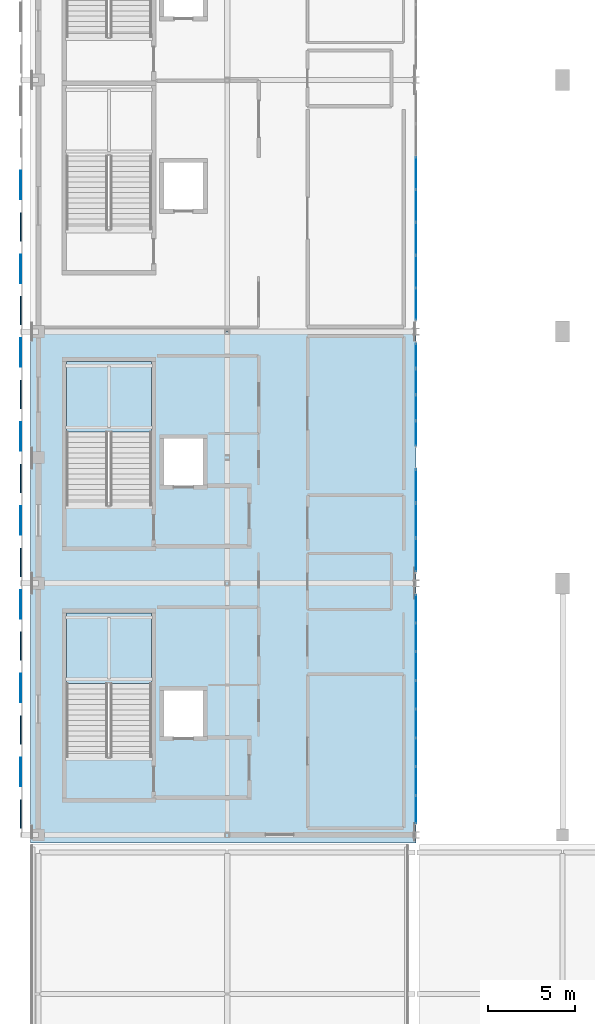
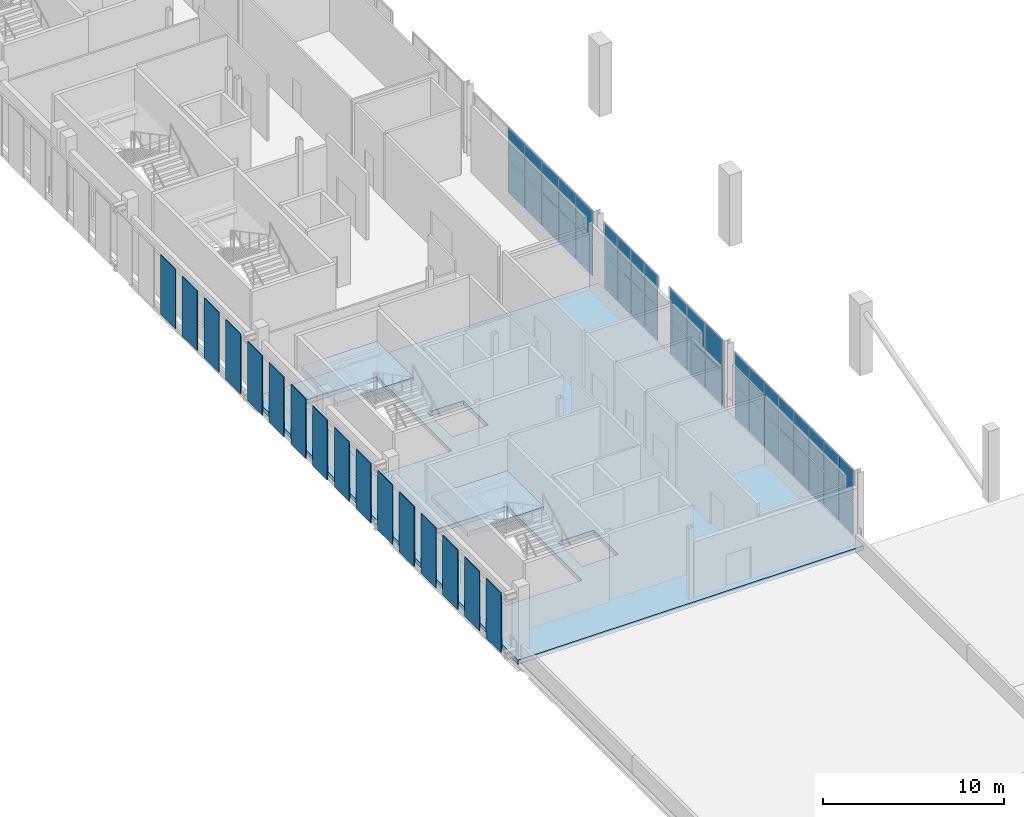
# One storey, part 24 of 51: 56 plates, 3 slabs, 6 elements without a shape of their own.
"""IFC4 building model written with IfcOpenShell, lengths in metres."""

from ifc_helpers import new_model, si_unit, direction, frame, origin, origin_2d, place, context, subcontext, project, spatial, polyline, rectangle, outline, extrude, material, layer, layer_set, type_object, element, aggregate, save


model = new_model("IFC4")

# Units and contexts
model_context = context("Model", 3, precision=1e-05, world=origin(), true_north=direction((0.0, 1.0)))
body_context = subcontext(model_context, "Body", "Model", "MODEL_VIEW")
ifc_project = project(units=[si_unit("LENGTHUNIT", "METRE"), si_unit("AREAUNIT", "SQUARE_METRE"), si_unit("VOLUMEUNIT", "CUBIC_METRE"), si_unit("PLANEANGLEUNIT", "RADIAN"), si_unit("MASSUNIT", "GRAM", prefix="KILO")], contexts=[model_context])

# Site, building, storey
site_placement = place(None, origin())
site = spatial("IfcSite", under=ifc_project, at=site_placement, CompositionType="ELEMENT")
building_placement = place(site_placement, origin())
building = spatial("IfcBuilding", under=site, at=building_placement, Name="Koshinbarg Plaza Stadium", CompositionType="ELEMENT")
storey_placement = place(building_placement, frame((0.0, 0.0, 24.60009765625)))
storey = spatial("IfcBuildingStorey", under=building, at=storey_placement, Name="L05", CompositionType="ELEMENT", Elevation=24.60009765625)

# Curtain wall, plates
ifc_material_1 = material(Name="Thermally broken anodised aluminium and low-E double glazing", Category="aluminium")
curtain_wall_type_1 = type_object("IfcCurtainWallType", Name="CW-SYS-11", PredefinedType="NOTDEFINED", material=ifc_material_1)
curtain_wall_1_placement = place(storey_placement, origin())
curtain_wall_1 = element("IfcCurtainWall", 1, at=curtain_wall_1_placement, inside=storey, type_object=curtain_wall_type_1, Name="L05 unitised curtain wall CW-L05-138", PredefinedType="NOTDEFINED")
ifc_material_2 = material(Name="Solar-control low-E double glazing unit", Category="glass")
ifc_layer_1 = layer(ifc_material_2, 0.028076171875)
ifc_layer_set_1 = layer_set([ifc_layer_1], Name="Solar-control low-E double glazing unit")
plate_type_1 = type_object("IfcPlateType", Name="CW-PNL-28", PredefinedType="CURTAIN_PANEL", material=ifc_layer_set_1)
plate_1_placement = place(storey_placement, frame((46.199951171875, 52.919921875, 0.06005859375), z_axis=(0.0, 0.0, 1.0), x_axis=(0.0, -1.0, 0.0)))
plate_1 = element("IfcPlate", 2, at=plate_1_placement, type_object=plate_type_1, Name="CW11 panel 1.1", PredefinedType="CURTAIN_PANEL", context=body_context, shape_type="SweptSolid", body=[
    extrude(rectangle(XDim=1.39990234375, YDim=0.028076171875, at=origin_2d()), origin(), (0.0, 0.0, 1.0), 2.239501953125),
])
plate_2_placement = place(storey_placement, frame((46.199951171875, 52.919921875, 2.359375), z_axis=(0.0, 0.0, 1.0), x_axis=(0.0, -1.0, 0.0)))
plate_2 = element("IfcPlate", 3, at=plate_2_placement, type_object=plate_type_1, Name="CW11 panel 1.2", PredefinedType="CURTAIN_PANEL", context=body_context, shape_type="SweptSolid", body=[
    extrude(rectangle(XDim=1.39990234375, YDim=0.028076171875, at=origin_2d()), origin(), (0.0, 0.0, 1.0), 2.060302734375),
])
plate_3_placement = place(storey_placement, frame((46.199951171875, 51.445068359375, 0.06005859375), z_axis=(0.0, 0.0, 1.0), x_axis=(0.0, -1.0, 0.0)))
plate_3 = element("IfcPlate", 4, at=plate_3_placement, type_object=plate_type_1, Name="CW11 panel 2.1", PredefinedType="CURTAIN_PANEL", context=body_context, shape_type="SweptSolid", body=[
    extrude(rectangle(XDim=1.429931640625, YDim=0.028076171875, at=origin_2d()), origin(), (0.0, 0.0, 1.0), 2.239501953125),
])
plate_4_placement = place(storey_placement, frame((46.199951171875, 51.445068359375, 2.359375), z_axis=(0.0, 0.0, 1.0), x_axis=(0.0, -1.0, 0.0)))
plate_4 = element("IfcPlate", 5, at=plate_4_placement, type_object=plate_type_1, Name="CW11 panel 2.2", PredefinedType="CURTAIN_PANEL", context=body_context, shape_type="SweptSolid", body=[
    extrude(rectangle(XDim=1.429931640625, YDim=0.028076171875, at=origin_2d()), origin(), (0.0, 0.0, 1.0), 2.060302734375),
])
plate_5_placement = place(storey_placement, frame((46.199951171875, 49.955078125, 0.06005859375), z_axis=(0.0, 0.0, 1.0), x_axis=(0.0, -1.0, 0.0)))
plate_5 = element("IfcPlate", 6, at=plate_5_placement, type_object=plate_type_1, Name="CW11 panel 3.1", PredefinedType="CURTAIN_PANEL", context=body_context, shape_type="SweptSolid", body=[
    extrude(rectangle(XDim=1.429931640625, YDim=0.028076171875, at=origin_2d()), origin(), (0.0, 0.0, 1.0), 2.239501953125),
])
plate_6_placement = place(storey_placement, frame((46.199951171875, 49.955078125, 2.359375), z_axis=(0.0, 0.0, 1.0), x_axis=(0.0, -1.0, 0.0)))
plate_6 = element("IfcPlate", 7, at=plate_6_placement, type_object=plate_type_1, Name="CW11 panel 3.2", PredefinedType="CURTAIN_PANEL", context=body_context, shape_type="SweptSolid", body=[
    extrude(rectangle(XDim=1.429931640625, YDim=0.028076171875, at=origin_2d()), origin(), (0.0, 0.0, 1.0), 2.060302734375),
])
plate_7_placement = place(storey_placement, frame((46.199951171875, 48.47998046875, 0.06005859375), z_axis=(0.0, 0.0, 1.0), x_axis=(0.0, -1.0, 0.0)))
plate_7 = element("IfcPlate", 8, at=plate_7_placement, type_object=plate_type_1, Name="CW11 panel 4.1", PredefinedType="CURTAIN_PANEL", context=body_context, shape_type="SweptSolid", body=[
    extrude(rectangle(XDim=1.39990234375, YDim=0.028076171875, at=origin_2d()), origin(), (0.0, 0.0, 1.0), 2.239501953125),
])
plate_8_placement = place(storey_placement, frame((46.199951171875, 48.47998046875, 2.359375), z_axis=(0.0, 0.0, 1.0), x_axis=(0.0, -1.0, 0.0)))
plate_8 = element("IfcPlate", 9, at=plate_8_placement, type_object=plate_type_1, Name="CW11 panel 4.2", PredefinedType="CURTAIN_PANEL", context=body_context, shape_type="SweptSolid", body=[
    extrude(rectangle(XDim=1.39990234375, YDim=0.028076171875, at=origin_2d()), origin(), (0.0, 0.0, 1.0), 2.060302734375),
])
aggregate(curtain_wall_1, [plate_1, plate_2, plate_3, plate_4, plate_5, plate_6, plate_7, plate_8])

curtain_wall_type_2 = type_object("IfcCurtainWallType", Name="CW-SYS-13", PredefinedType="NOTDEFINED", material=ifc_material_1)
curtain_wall_2_placement = place(storey_placement, origin())
curtain_wall_2 = element("IfcCurtainWall", 10, at=curtain_wall_2_placement, inside=storey, type_object=curtain_wall_type_2, Name="L05 unitised curtain wall CW-L05-140", PredefinedType="NOTDEFINED")
plate_9_placement = place(storey_placement, frame((46.199951171875, 38.4423828125, 0.06005859375), z_axis=(0.0, 0.0, 1.0), x_axis=(0.0, -1.0, 0.0)))
plate_9 = element("IfcPlate", 11, at=plate_9_placement, type_object=plate_type_1, Name="CW13 panel 1.1", PredefinedType="CURTAIN_PANEL", context=body_context, shape_type="SweptSolid", body=[
    extrude(rectangle(XDim=1.554931640625, YDim=0.028076171875, at=origin_2d()), origin(), (0.0, 0.0, 1.0), 2.239501953125),
])
plate_10_placement = place(storey_placement, frame((46.199951171875, 38.4423828125, 2.359375), z_axis=(0.0, 0.0, 1.0), x_axis=(0.0, -1.0, 0.0)))
plate_10 = element("IfcPlate", 12, at=plate_10_placement, type_object=plate_type_1, Name="CW13 panel 1.2", PredefinedType="CURTAIN_PANEL", context=body_context, shape_type="SweptSolid", body=[
    extrude(rectangle(XDim=1.554931640625, YDim=0.028076171875, at=origin_2d()), origin(), (0.0, 0.0, 1.0), 2.060302734375),
])
plate_11_placement = place(storey_placement, frame((46.199951171875, 36.8125, 0.06005859375), z_axis=(0.0, 0.0, 1.0), x_axis=(0.0, -1.0, 0.0)))
plate_11 = element("IfcPlate", 13, at=plate_11_placement, type_object=plate_type_1, Name="CW13 panel 2.1", PredefinedType="CURTAIN_PANEL", context=body_context, shape_type="SweptSolid", body=[
    extrude(rectangle(XDim=1.5849609375, YDim=0.028076171875, at=origin_2d()), origin(), (0.0, 0.0, 1.0), 2.239501953125),
])
plate_12_placement = place(storey_placement, frame((46.199951171875, 36.8125, 2.359375), z_axis=(0.0, 0.0, 1.0), x_axis=(0.0, -1.0, 0.0)))
plate_12 = element("IfcPlate", 14, at=plate_12_placement, type_object=plate_type_1, Name="CW13 panel 2.2", PredefinedType="CURTAIN_PANEL", context=body_context, shape_type="SweptSolid", body=[
    extrude(rectangle(XDim=1.5849609375, YDim=0.028076171875, at=origin_2d()), origin(), (0.0, 0.0, 1.0), 2.060302734375),
])
plate_13_placement = place(storey_placement, frame((46.199951171875, 35.16748046875, 0.06005859375), z_axis=(0.0, 0.0, 1.0), x_axis=(0.0, -1.0, 0.0)))
plate_13 = element("IfcPlate", 15, at=plate_13_placement, type_object=plate_type_1, Name="CW13 panel 3.1", PredefinedType="CURTAIN_PANEL", context=body_context, shape_type="SweptSolid", body=[
    extrude(rectangle(XDim=1.5849609375, YDim=0.028076171875, at=origin_2d()), origin(), (0.0, 0.0, 1.0), 2.239501953125),
])
plate_14_placement = place(storey_placement, frame((46.199951171875, 35.16748046875, 2.359375), z_axis=(0.0, 0.0, 1.0), x_axis=(0.0, -1.0, 0.0)))
plate_14 = element("IfcPlate", 16, at=plate_14_placement, type_object=plate_type_1, Name="CW13 panel 3.2", PredefinedType="CURTAIN_PANEL", context=body_context, shape_type="SweptSolid", body=[
    extrude(rectangle(XDim=1.5849609375, YDim=0.028076171875, at=origin_2d()), origin(), (0.0, 0.0, 1.0), 2.060302734375),
])
plate_15_placement = place(storey_placement, frame((46.199951171875, 33.5224609375, 0.06005859375), z_axis=(0.0, 0.0, 1.0), x_axis=(0.0, -1.0, 0.0)))
plate_15 = element("IfcPlate", 17, at=plate_15_placement, type_object=plate_type_1, Name="CW13 panel 4.1", PredefinedType="CURTAIN_PANEL", context=body_context, shape_type="SweptSolid", body=[
    extrude(rectangle(XDim=1.5849609375, YDim=0.028076171875, at=origin_2d()), origin(), (0.0, 0.0, 1.0), 2.239501953125),
])
plate_16_placement = place(storey_placement, frame((46.199951171875, 33.5224609375, 2.359375), z_axis=(0.0, 0.0, 1.0), x_axis=(0.0, -1.0, 0.0)))
plate_16 = element("IfcPlate", 18, at=plate_16_placement, type_object=plate_type_1, Name="CW13 panel 4.2", PredefinedType="CURTAIN_PANEL", context=body_context, shape_type="SweptSolid", body=[
    extrude(rectangle(XDim=1.5849609375, YDim=0.028076171875, at=origin_2d()), origin(), (0.0, 0.0, 1.0), 2.060302734375),
])
plate_17_placement = place(storey_placement, frame((46.199951171875, 31.87744140625, 0.06005859375), z_axis=(0.0, 0.0, 1.0), x_axis=(0.0, -1.0, 0.0)))
plate_17 = element("IfcPlate", 19, at=plate_17_placement, type_object=plate_type_1, Name="CW13 panel 5.1", PredefinedType="CURTAIN_PANEL", context=body_context, shape_type="SweptSolid", body=[
    extrude(rectangle(XDim=1.5849609375, YDim=0.028076171875, at=origin_2d()), origin(), (0.0, 0.0, 1.0), 2.239501953125),
])
plate_18_placement = place(storey_placement, frame((46.199951171875, 31.87744140625, 2.359375), z_axis=(0.0, 0.0, 1.0), x_axis=(0.0, -1.0, 0.0)))
plate_18 = element("IfcPlate", 20, at=plate_18_placement, type_object=plate_type_1, Name="CW13 panel 5.2", PredefinedType="CURTAIN_PANEL", context=body_context, shape_type="SweptSolid", body=[
    extrude(rectangle(XDim=1.5849609375, YDim=0.028076171875, at=origin_2d()), origin(), (0.0, 0.0, 1.0), 2.060302734375),
])
plate_19_placement = place(storey_placement, frame((46.199951171875, 30.232421875, 0.06005859375), z_axis=(0.0, 0.0, 1.0), x_axis=(0.0, -1.0, 0.0)))
plate_19 = element("IfcPlate", 21, at=plate_19_placement, type_object=plate_type_1, Name="CW13 panel 6.1", PredefinedType="CURTAIN_PANEL", context=body_context, shape_type="SweptSolid", body=[
    extrude(rectangle(XDim=1.5849609375, YDim=0.028076171875, at=origin_2d()), origin(), (0.0, 0.0, 1.0), 2.239501953125),
])
plate_20_placement = place(storey_placement, frame((46.199951171875, 30.232421875, 2.359375), z_axis=(0.0, 0.0, 1.0), x_axis=(0.0, -1.0, 0.0)))
plate_20 = element("IfcPlate", 22, at=plate_20_placement, type_object=plate_type_1, Name="CW13 panel 6.2", PredefinedType="CURTAIN_PANEL", context=body_context, shape_type="SweptSolid", body=[
    extrude(rectangle(XDim=1.5849609375, YDim=0.028076171875, at=origin_2d()), origin(), (0.0, 0.0, 1.0), 2.060302734375),
])
plate_21_placement = place(storey_placement, frame((46.199951171875, 28.58740234375, 0.06005859375), z_axis=(0.0, 0.0, 1.0), x_axis=(0.0, -1.0, 0.0)))
plate_21 = element("IfcPlate", 23, at=plate_21_placement, type_object=plate_type_1, Name="CW13 panel 7.1", PredefinedType="CURTAIN_PANEL", context=body_context, shape_type="SweptSolid", body=[
    extrude(rectangle(XDim=1.5849609375, YDim=0.028076171875, at=origin_2d()), origin(), (0.0, 0.0, 1.0), 2.239501953125),
])
plate_22_placement = place(storey_placement, frame((46.199951171875, 28.58740234375, 2.359375), z_axis=(0.0, 0.0, 1.0), x_axis=(0.0, -1.0, 0.0)))
plate_22 = element("IfcPlate", 24, at=plate_22_placement, type_object=plate_type_1, Name="CW13 panel 7.2", PredefinedType="CURTAIN_PANEL", context=body_context, shape_type="SweptSolid", body=[
    extrude(rectangle(XDim=1.5849609375, YDim=0.028076171875, at=origin_2d()), origin(), (0.0, 0.0, 1.0), 2.060302734375),
])
plate_23_placement = place(storey_placement, frame((46.199951171875, 26.95751953125, 0.06005859375), z_axis=(0.0, 0.0, 1.0), x_axis=(0.0, -1.0, 0.0)))
plate_23 = element("IfcPlate", 25, at=plate_23_placement, type_object=plate_type_1, Name="CW13 panel 8.1", PredefinedType="CURTAIN_PANEL", context=body_context, shape_type="SweptSolid", body=[
    extrude(rectangle(XDim=1.554931640625, YDim=0.028076171875, at=origin_2d()), origin(), (0.0, 0.0, 1.0), 2.239501953125),
])
plate_24_placement = place(storey_placement, frame((46.199951171875, 26.95751953125, 2.359375), z_axis=(0.0, 0.0, 1.0), x_axis=(0.0, -1.0, 0.0)))
plate_24 = element("IfcPlate", 26, at=plate_24_placement, type_object=plate_type_1, Name="CW13 panel 8.2", PredefinedType="CURTAIN_PANEL", context=body_context, shape_type="SweptSolid", body=[
    extrude(rectangle(XDim=1.554931640625, YDim=0.028076171875, at=origin_2d()), origin(), (0.0, 0.0, 1.0), 2.060302734375),
])
aggregate(curtain_wall_2, [plate_9, plate_10, plate_11, plate_12, plate_13, plate_14, plate_15, plate_16, plate_17, plate_18, plate_19, plate_20, plate_21, plate_22, plate_23, plate_24])

curtain_wall_type_3 = type_object("IfcCurtainWallType", Name="CW-SYS-10", PredefinedType="NOTDEFINED", material=ifc_material_1)
curtain_wall_3_placement = place(storey_placement, origin())
curtain_wall_3 = element("IfcCurtainWall", 27, at=curtain_wall_3_placement, inside=storey, type_object=curtain_wall_type_3, Name="L05 unitised curtain wall CW-L05-137", PredefinedType="NOTDEFINED")
ifc_material_3 = material(Name="Acoustic solar-control double glazing unit", Category="glass")
ifc_layer_2 = layer(ifc_material_3, 0.031982421875)
ifc_layer_set_2 = layer_set([ifc_layer_2], Name="Acoustic solar-control double glazing unit")
plate_type_2 = type_object("IfcPlateType", Name="CW-PNL-32", PredefinedType="CURTAIN_PANEL", material=ifc_layer_set_2)
plate_25_placement = place(storey_placement, frame((46.199951171875, 63.3798828125, 0.06005859375), z_axis=(0.0, 0.0, 1.0), x_axis=(0.0, -1.0, 0.0)))
plate_25 = element("IfcPlate", 28, at=plate_25_placement, type_object=plate_type_2, Name="CW10 panel 3.1", PredefinedType="CURTAIN_PANEL", context=body_context, shape_type="SweptSolid", body=[
    extrude(rectangle(XDim=1.820068359375, YDim=0.031982421875, at=origin_2d()), origin(), (0.0, 0.0, 1.0), 2.239501953125),
])
plate_26_placement = place(storey_placement, frame((46.199951171875, 63.3798828125, 2.359375), z_axis=(0.0, 0.0, 1.0), x_axis=(0.0, -1.0, 0.0)))
plate_26 = element("IfcPlate", 29, at=plate_26_placement, type_object=plate_type_2, Name="CW10 panel 3.2", PredefinedType="CURTAIN_PANEL", context=body_context, shape_type="SweptSolid", body=[
    extrude(rectangle(XDim=1.820068359375, YDim=0.031982421875, at=origin_2d()), origin(), (0.0, 0.0, 1.0), 2.060302734375),
])
plate_27_placement = place(storey_placement, frame((46.199951171875, 61.5, 0.06005859375), z_axis=(0.0, 0.0, 1.0), x_axis=(0.0, -1.0, 0.0)))
plate_27 = element("IfcPlate", 30, at=plate_27_placement, type_object=plate_type_2, Name="CW10 panel 4.1", PredefinedType="CURTAIN_PANEL", context=body_context, shape_type="SweptSolid", body=[
    extrude(rectangle(XDim=1.820068359375, YDim=0.031982421875, at=origin_2d()), origin(), (0.0, 0.0, 1.0), 2.239501953125),
])
plate_28_placement = place(storey_placement, frame((46.199951171875, 61.5, 2.359375), z_axis=(0.0, 0.0, 1.0), x_axis=(0.0, -1.0, 0.0)))
plate_28 = element("IfcPlate", 31, at=plate_28_placement, type_object=plate_type_2, Name="CW10 panel 4.2", PredefinedType="CURTAIN_PANEL", context=body_context, shape_type="SweptSolid", body=[
    extrude(rectangle(XDim=1.820068359375, YDim=0.031982421875, at=origin_2d()), origin(), (0.0, 0.0, 1.0), 2.060302734375),
])
plate_29_placement = place(storey_placement, frame((46.199951171875, 59.6201171875, 0.06005859375), z_axis=(0.0, 0.0, 1.0), x_axis=(0.0, -1.0, 0.0)))
plate_29 = element("IfcPlate", 32, at=plate_29_placement, type_object=plate_type_2, Name="CW10 panel 5.1", PredefinedType="CURTAIN_PANEL", context=body_context, shape_type="SweptSolid", body=[
    extrude(rectangle(XDim=1.820068359375, YDim=0.031982421875, at=origin_2d()), origin(), (0.0, 0.0, 1.0), 2.239501953125),
])
plate_30_placement = place(storey_placement, frame((46.199951171875, 59.6201171875, 2.359375), z_axis=(0.0, 0.0, 1.0), x_axis=(0.0, -1.0, 0.0)))
plate_30 = element("IfcPlate", 33, at=plate_30_placement, type_object=plate_type_2, Name="CW10 panel 5.2", PredefinedType="CURTAIN_PANEL", context=body_context, shape_type="SweptSolid", body=[
    extrude(rectangle(XDim=1.820068359375, YDim=0.031982421875, at=origin_2d()), origin(), (0.0, 0.0, 1.0), 2.060302734375),
])
plate_31_placement = place(storey_placement, frame((46.199951171875, 57.739990234375, 0.06005859375), z_axis=(0.0, 0.0, 1.0), x_axis=(0.0, -1.0, 0.0)))
plate_31 = element("IfcPlate", 34, at=plate_31_placement, type_object=plate_type_2, Name="CW10 panel 6.1", PredefinedType="CURTAIN_PANEL", context=body_context, shape_type="SweptSolid", body=[
    extrude(rectangle(XDim=1.820068359375, YDim=0.031982421875, at=origin_2d()), origin(), (0.0, 0.0, 1.0), 2.239501953125),
])
plate_32_placement = place(storey_placement, frame((46.199951171875, 57.739990234375, 2.359375), z_axis=(0.0, 0.0, 1.0), x_axis=(0.0, -1.0, 0.0)))
plate_32 = element("IfcPlate", 35, at=plate_32_placement, type_object=plate_type_2, Name="CW10 panel 6.2", PredefinedType="CURTAIN_PANEL", context=body_context, shape_type="SweptSolid", body=[
    extrude(rectangle(XDim=1.820068359375, YDim=0.031982421875, at=origin_2d()), origin(), (0.0, 0.0, 1.0), 2.060302734375),
])
plate_33_placement = place(storey_placement, frame((46.199951171875, 55.875, 0.06005859375), z_axis=(0.0, 0.0, 1.0), x_axis=(0.0, -1.0, 0.0)))
plate_33 = element("IfcPlate", 36, at=plate_33_placement, type_object=plate_type_2, Name="CW10 panel 7.1", PredefinedType="CURTAIN_PANEL", context=body_context, shape_type="SweptSolid", body=[
    extrude(rectangle(XDim=1.7900390625, YDim=0.031982421875, at=origin_2d()), origin(), (0.0, 0.0, 1.0), 2.239501953125),
])
plate_34_placement = place(storey_placement, frame((46.199951171875, 55.875, 2.359375), z_axis=(0.0, 0.0, 1.0), x_axis=(0.0, -1.0, 0.0)))
plate_34 = element("IfcPlate", 37, at=plate_34_placement, type_object=plate_type_2, Name="CW10 panel 7.2", PredefinedType="CURTAIN_PANEL", context=body_context, shape_type="SweptSolid", body=[
    extrude(rectangle(XDim=1.7900390625, YDim=0.031982421875, at=origin_2d()), origin(), (0.0, 0.0, 1.0), 2.060302734375),
])
aggregate(curtain_wall_3, [plate_25, plate_26, plate_27, plate_28, plate_29, plate_30, plate_31, plate_32, plate_33, plate_34])

curtain_wall_type_4 = type_object("IfcCurtainWallType", Name="CW-SYS-12", PredefinedType="NOTDEFINED", material=ifc_material_1)
curtain_wall_4_placement = place(storey_placement, origin())
curtain_wall_4 = element("IfcCurtainWall", 38, at=curtain_wall_4_placement, inside=storey, type_object=curtain_wall_type_4, Name="L05 unitised curtain wall CW-L05-139", PredefinedType="NOTDEFINED")
plate_35_placement = place(storey_placement, frame((46.199951171875, 45.4716796875, 0.06005859375), z_axis=(0.0, 0.0, 1.0), x_axis=(0.0, -1.0, 0.0)))
plate_35 = element("IfcPlate", 39, at=plate_35_placement, type_object=plate_type_2, Name="CW12 panel 1.1", PredefinedType="CURTAIN_PANEL", context=body_context, shape_type="SweptSolid", body=[
    extrude(rectangle(XDim=1.896728515625, YDim=0.031982421875, at=origin_2d()), origin(), (0.0, 0.0, 1.0), 2.239501953125),
])
plate_36_placement = place(storey_placement, frame((46.199951171875, 45.4716796875, 2.359375), z_axis=(0.0, 0.0, 1.0), x_axis=(0.0, -1.0, 0.0)))
plate_36 = element("IfcPlate", 40, at=plate_36_placement, type_object=plate_type_2, Name="CW12 panel 1.2", PredefinedType="CURTAIN_PANEL", context=body_context, shape_type="SweptSolid", body=[
    extrude(rectangle(XDim=1.896728515625, YDim=0.031982421875, at=origin_2d()), origin(), (0.0, 0.0, 1.0), 2.060302734375),
])
plate_37_placement = place(storey_placement, frame((46.199951171875, 43.5, 0.06005859375), z_axis=(0.0, 0.0, 1.0), x_axis=(0.0, -1.0, 0.0)))
plate_37 = element("IfcPlate", 41, at=plate_37_placement, type_object=plate_type_2, Name="CW12 panel 2.1", PredefinedType="CURTAIN_PANEL", context=body_context, shape_type="SweptSolid", body=[
    extrude(rectangle(XDim=1.9267578125, YDim=0.031982421875, at=origin_2d()), origin(), (0.0, 0.0, 1.0), 2.239501953125),
])
plate_38_placement = place(storey_placement, frame((46.199951171875, 43.5, 2.359375), z_axis=(0.0, 0.0, 1.0), x_axis=(0.0, -1.0, 0.0)))
plate_38 = element("IfcPlate", 42, at=plate_38_placement, type_object=plate_type_2, Name="CW12 panel 2.2", PredefinedType="CURTAIN_PANEL", context=body_context, shape_type="SweptSolid", body=[
    extrude(rectangle(XDim=1.9267578125, YDim=0.031982421875, at=origin_2d()), origin(), (0.0, 0.0, 1.0), 2.060302734375),
])
plate_39_placement = place(storey_placement, frame((46.199951171875, 41.5283203125, 0.06005859375), z_axis=(0.0, 0.0, 1.0), x_axis=(0.0, -1.0, 0.0)))
plate_39 = element("IfcPlate", 43, at=plate_39_placement, type_object=plate_type_2, Name="CW12 panel 3.1", PredefinedType="CURTAIN_PANEL", context=body_context, shape_type="SweptSolid", body=[
    extrude(rectangle(XDim=1.896728515625, YDim=0.031982421875, at=origin_2d()), origin(), (0.0, 0.0, 1.0), 2.239501953125),
])
plate_40_placement = place(storey_placement, frame((46.199951171875, 41.5283203125, 2.359375), z_axis=(0.0, 0.0, 1.0), x_axis=(0.0, -1.0, 0.0)))
plate_40 = element("IfcPlate", 44, at=plate_40_placement, type_object=plate_type_2, Name="CW12 panel 3.2", PredefinedType="CURTAIN_PANEL", context=body_context, shape_type="SweptSolid", body=[
    extrude(rectangle(XDim=1.896728515625, YDim=0.031982421875, at=origin_2d()), origin(), (0.0, 0.0, 1.0), 2.060302734375),
])
aggregate(curtain_wall_4, [plate_35, plate_36, plate_37, plate_38, plate_39, plate_40])

# Plates
ifc_material_4 = material(Name="Off-white mineral-coated perforated aluminium screen panel", Category="aluminium")
ifc_layer_3 = layer(ifc_material_4, 0.050048828125)
ifc_layer_set_3 = layer_set([ifc_layer_3], Name="Off-white mineral-coated perforated aluminium screen panel")
plate_type_3 = type_object("IfcPlateType", Name="PLT-SCR-50", PredefinedType="USERDEFINED", material=ifc_layer_set_3)
for number, where, z_axis, x_axis, name in (
    (45, (23.580078125, 29.10009765625, 0.19970703125), (0.0, 0.0, 1.0), (1.0, 0.0, 0.0), "L05 off-white leaf-pierced outer screen panel 086"),
    (46, (23.580078125, 33.89990234375, 0.19970703125), (0.0, 0.0, 1.0), (1.0, 0.0, 0.0), "L05 off-white leaf-pierced outer screen panel 088"),
    (47, (23.580078125, 38.699951171875, 0.19970703125), (0.0, 0.0, 1.0), (1.0, 0.0, 0.0), "L05 off-white leaf-pierced outer screen panel 090"),
    (48, (23.580078125, 43.5, 0.19970703125), (0.0, 0.0, 1.0), (1.0, 0.0, 0.0), "L05 off-white leaf-pierced outer screen panel 092"),
    (49, (23.580078125, 48.300048828125, 0.19970703125), (0.0, 0.0, 1.0), (1.0, 0.0, 0.0), "L05 off-white leaf-pierced outer screen panel 094"),
    (50, (23.580078125, 53.10009765625, 0.19970703125), (0.0, 0.0, 1.0), (1.0, 0.0, 0.0), "L05 off-white leaf-pierced outer screen panel 096"),
    (51, (23.580078125, 57.89990234375, 0.19970703125), (0.0, 0.0, 1.0), (1.0, 0.0, 0.0), "L05 off-white leaf-pierced outer screen panel 098"),
    (52, (23.580078125, 62.699951171875, 0.19970703125), (0.0, 0.0, 1.0), (1.0, 0.0, 0.0), "L05 off-white leaf-pierced outer screen panel 100"),
):
    element("IfcPlate", number, at=place(storey_placement, frame(where, z_axis=z_axis, x_axis=x_axis)), inside=storey, type_object=plate_type_3, Name=name, ObjectType="SCREEN PANEL", PredefinedType="USERDEFINED", context=body_context, shape_type="SweptSolid", body=[
        extrude(rectangle(XDim=0.050048828125, YDim=1.632080078125, at=origin_2d()), origin(), (0.0, 0.0, 1.0), 4.030029296875),
    ])
ifc_material_5 = material(Name="Off-white mineral-coated leaf-aperture GRC screen panel")
ifc_layer_4 = layer(ifc_material_5, 0.06005859375)
ifc_layer_set_4 = layer_set([ifc_layer_4], Name="Off-white mineral-coated leaf-aperture GRC screen panel")
plate_type_4 = type_object("IfcPlateType", Name="PLT-SCR-60", PredefinedType="USERDEFINED", material=ifc_layer_set_4)
for number, where, z_axis, x_axis, name in (
    (53, (23.574951171875, 26.699951171875, 0.19970703125), (0.0, 0.0, 1.0), (1.0, 0.0, 0.0), "L05 off-white leaf-pierced outer screen panel 085"),
    (54, (23.574951171875, 31.5, 0.19970703125), (0.0, 0.0, 1.0), (1.0, 0.0, 0.0), "L05 off-white leaf-pierced outer screen panel 087"),
    (55, (23.574951171875, 36.300048828125, 0.19970703125), (0.0, 0.0, 1.0), (1.0, 0.0, 0.0), "L05 off-white leaf-pierced outer screen panel 089"),
    (56, (23.574951171875, 41.10009765625, 0.19970703125), (0.0, 0.0, 1.0), (1.0, 0.0, 0.0), "L05 off-white leaf-pierced outer screen panel 091"),
    (57, (23.574951171875, 45.89990234375, 0.19970703125), (0.0, 0.0, 1.0), (1.0, 0.0, 0.0), "L05 off-white leaf-pierced outer screen panel 093"),
    (58, (23.574951171875, 50.699951171875, 0.19970703125), (0.0, 0.0, 1.0), (1.0, 0.0, 0.0), "L05 off-white leaf-pierced outer screen panel 095"),
    (59, (23.574951171875, 55.5, 0.19970703125), (0.0, 0.0, 1.0), (1.0, 0.0, 0.0), "L05 off-white leaf-pierced outer screen panel 097"),
    (60, (23.574951171875, 60.300048828125, 0.19970703125), (0.0, 0.0, 1.0), (1.0, 0.0, 0.0), "L05 off-white leaf-pierced outer screen panel 099"),
):
    element("IfcPlate", number, at=place(storey_placement, frame(where, z_axis=z_axis, x_axis=x_axis)), inside=storey, type_object=plate_type_4, Name=name, ObjectType="SCREEN PANEL", PredefinedType="USERDEFINED", context=body_context, shape_type="SweptSolid", body=[
        extrude(rectangle(XDim=0.06005859375, YDim=1.632080078125, at=origin_2d()), origin(), (0.0, 0.0, 1.0), 4.030029296875),
    ])

# Slab
ifc_material_6 = material(Name="Concrete C35/45", Category="concrete")
ifc_layer_5 = layer(ifc_material_6, 0.300048828125)
ifc_layer_set_5 = layer_set([ifc_layer_5], Name="Concrete C35/45")
slab_type_1 = type_object("IfcSlabType", Name="SL-FLR-300", PredefinedType="FLOOR", material=ifc_layer_set_5)
slab_1_placement = place(storey_placement, frame((0.0, 0.0, -0.300048828125)))
element("IfcSlab", 61, at=slab_1_placement, inside=storey, type_object=slab_type_1, Name="L05 V1 structural slab 1", PredefinedType="FLOOR", context=body_context, shape_type="SweptSolid", body=[
    extrude(outline(polyline([(24.14501953125, 25.044921875), (46.199951171875, 25.044921875), (46.199951171875, 54.300048828125), (24.14501953125, 54.300048828125), (24.14501953125, 25.044921875)]), holes=[polyline([(31.070068359375, 29.9599609375), (31.070068359375, 38.199951171875), (26.199951171875, 38.199951171875), (26.199951171875, 29.9599609375), (31.070068359375, 29.9599609375)]), polyline([(31.75, 31.10009765625), (34.050048828125, 31.10009765625), (34.050048828125, 33.800048828125), (31.75, 33.800048828125), (31.75, 31.10009765625)]), polyline([(31.070068359375, 44.360107421875), (31.070068359375, 52.60009765625), (26.199951171875, 52.60009765625), (26.199951171875, 44.360107421875), (31.070068359375, 44.360107421875)]), polyline([(31.75, 45.5), (34.050048828125, 45.5), (34.050048828125, 48.199951171875), (31.75, 48.199951171875), (31.75, 45.5)])]), origin(), (0.0, 0.0, 1.0), 0.300048828125),
])

# Stair, slab
stair_type = type_object("IfcStairType", Name="ST-CORE-48", PredefinedType="HALF_TURN_STAIR", material=ifc_material_6)
stair_1_placement = place(storey_placement, origin())
stair_1 = element("IfcStair", 62, at=stair_1_placement, inside=storey, type_object=stair_type, Name="L05 Protected Exit Stair C01", PredefinedType="HALF_TURN_STAIR")
ifc_layer_6 = layer(ifc_material_6, 0.320068359375)
ifc_layer_set_6 = layer_set([ifc_layer_6], Name="Concrete C35/45")
slab_type_2 = type_object("IfcSlabType", Name="SL-STLAND-280", PredefinedType="LANDING", material=ifc_layer_set_6)
slab_2_placement = place(storey_placement, frame((0.0, 0.0, 2.079833984375)))
slab_2 = element("IfcSlab", 63, at=slab_2_placement, type_object=slab_type_2, Name="L05 Protected Exit Stair C01 landing 006", PredefinedType="LANDING", context=body_context, shape_type="SweptSolid", body=[
    extrude(outline(polyline([(31.070068359375, 34.159912109375), (31.070068359375, 38.199951171875), (26.199951171875, 38.199951171875), (26.199951171875, 34.159912109375), (31.070068359375, 34.159912109375)])), origin(), (0.0, 0.0, 1.0), 0.320068359375),
])
aggregate(stair_1, [slab_2])

stair_2_placement = place(storey_placement, origin())
stair_2 = element("IfcStair", 64, at=stair_2_placement, inside=storey, type_object=stair_type, Name="L05 Protected Exit Stair C02", PredefinedType="HALF_TURN_STAIR")
slab_3_placement = place(storey_placement, frame((0.0, 0.0, 2.079833984375)))
slab_3 = element("IfcSlab", 65, at=slab_3_placement, type_object=slab_type_2, Name="L05 Protected Exit Stair C02 landing 012", PredefinedType="LANDING", context=body_context, shape_type="SweptSolid", body=[
    extrude(outline(polyline([(31.070068359375, 48.56005859375), (31.070068359375, 52.60009765625), (26.199951171875, 52.60009765625), (26.199951171875, 48.56005859375), (31.070068359375, 48.56005859375)])), origin(), (0.0, 0.0, 1.0), 0.320068359375),
])
aggregate(stair_2, [slab_3])

save(model, "model.ifc")
